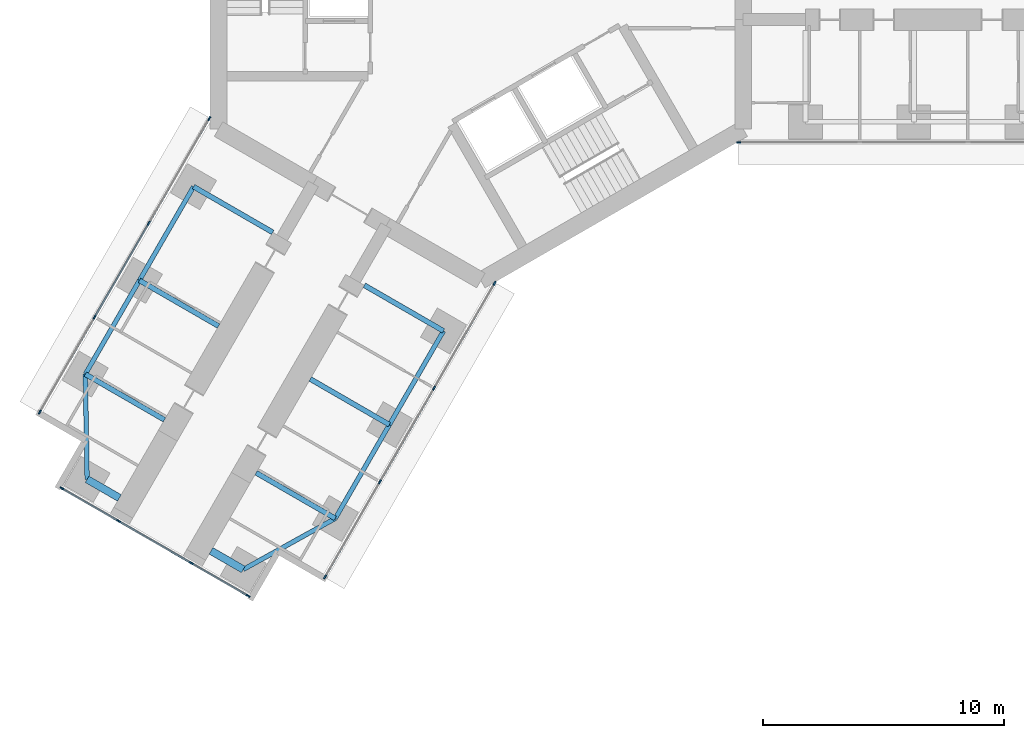
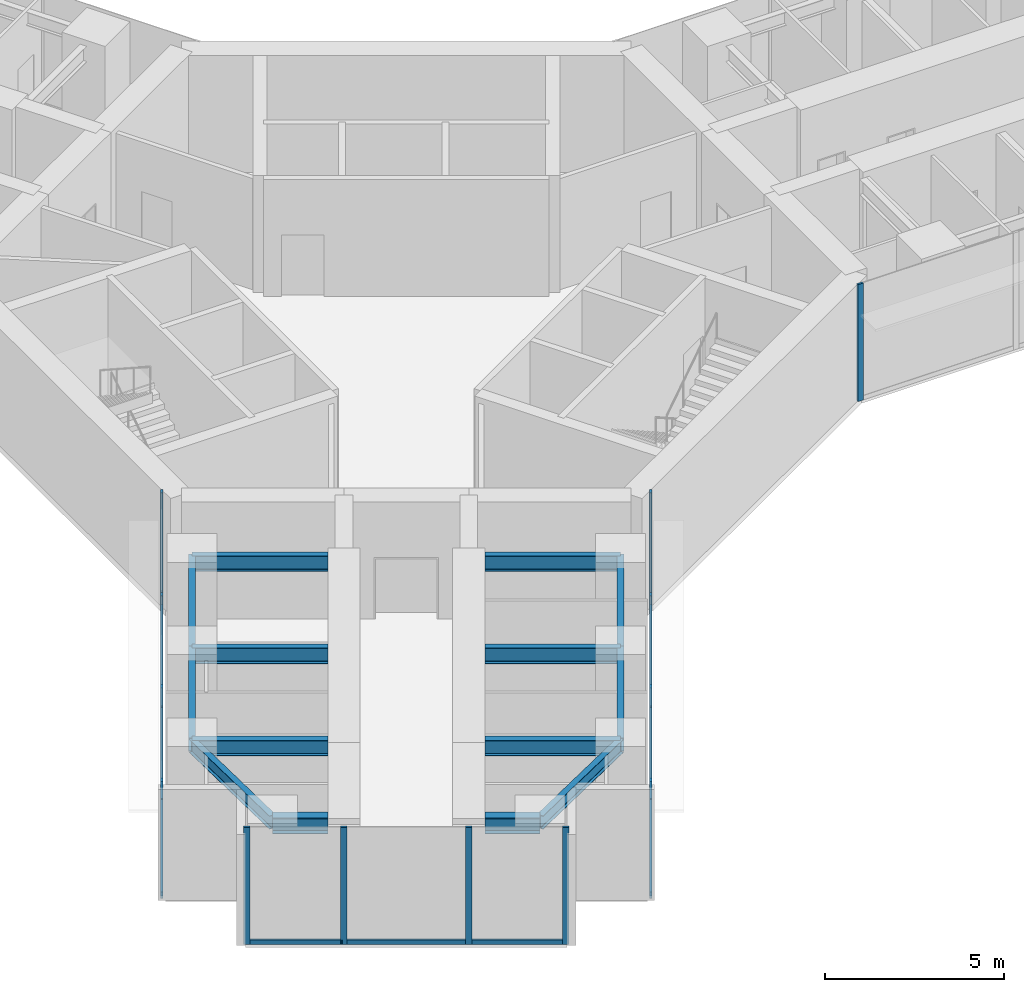
# One storey, part 2 of 25: 22 members, 14 beams, 4 elements without a shape of their own.
"""IFC4 building model written with IfcOpenShell, lengths in metres."""

from ifc_helpers import new_model, si_unit, direction, frame, origin, origin_2d, place, context, subcontext, project, spatial, rectangle, i_section, extrude, material, material_profile, profile_set, type_object, element, aggregate, save


model = new_model("IFC4")

# Units and contexts
model_context = context("Model", 3, precision=1e-05, world=origin(), true_north=direction((0.0, 1.0)))
body_context = subcontext(model_context, "Body", "Model", "MODEL_VIEW")
ifc_project = project(units=[si_unit("LENGTHUNIT", "METRE"), si_unit("AREAUNIT", "SQUARE_METRE"), si_unit("VOLUMEUNIT", "CUBIC_METRE"), si_unit("PLANEANGLEUNIT", "RADIAN"), si_unit("MASSUNIT", "GRAM", prefix="KILO")], contexts=[model_context])

# Site, building, storey
site_placement = place(None, origin())
site = spatial("IfcSite", under=ifc_project, at=site_placement, CompositionType="ELEMENT")
building_placement = place(site_placement, origin())
building = spatial("IfcBuilding", under=site, at=building_placement, Name="Upepo Twin Towers", CompositionType="ELEMENT")
storey_placement = place(building_placement, frame((0.0, 0.0, 84.5)))
storey = spatial("IfcBuildingStorey", under=building, at=storey_placement, Name="L20", CompositionType="ELEMENT", Elevation=84.5)

# Beams
ifc_material_1 = material(Name="Steel S355", Category="steel")
ifc_material_profile_1 = material_profile(ifc_material_1, i_section(OverallWidth=0.1904296875, OverallDepth=0.45703125, WebThickness=0.009033203125, FlangeThickness=0.014404296875, FilletRadius=0.01025390625, at=origin_2d()), Name="UB 457x191x74")
ifc_profile_set_1 = profile_set([ifc_material_profile_1], Name="Steel S355")
beam_type_1 = type_object("IfcBeamType", Name="Beam UB 457x191x74", PredefinedType="BEAM", material=ifc_profile_set_1)
beam_1_placement = place(storey_placement, frame((-1.553955078125, -14.69140625, 3.571533203125), z_axis=(-0.500013631625, -0.866017533419, 0.0), x_axis=(0.866017533419, -0.500013631625, 0.0)))
element("IfcBeam", 1, at=beam_1_placement, inside=storey, type_object=beam_type_1, Name="T1 edge beam CL 13.5-18.0", PredefinedType="BEAM", context=body_context, shape_type="SweptSolid", body=[
    extrude(i_section(OverallWidth=0.1904296875, OverallDepth=0.45703125, WebThickness=0.009033203125, FlangeThickness=0.014404296875, FilletRadius=0.01025390625, at=origin_2d()), origin(), (0.0, 0.0, 1.0), 4.499755859375),
])
beam_2_placement = place(storey_placement, frame((-3.803955078125, -18.58837890625, 3.571533203125), z_axis=(-0.499990139034, -0.866031096941, 0.0), x_axis=(0.866031096941, -0.499990139034, 0.0)))
element("IfcBeam", 2, at=beam_2_placement, inside=storey, type_object=beam_type_1, Name="T1 edge beam CL 18.0-22.5", PredefinedType="BEAM", context=body_context, shape_type="SweptSolid", body=[
    extrude(i_section(OverallWidth=0.1904296875, OverallDepth=0.45703125, WebThickness=0.009033203125, FlangeThickness=0.014404296875, FilletRadius=0.01025390625, at=origin_2d()), origin(), (0.0, 0.0, 1.0), 4.5),
])
beam_3_placement = place(storey_placement, frame((-6.053955078125, -22.485595703125, 3.571533203125), z_axis=(-0.874312600038, -0.485363242752, 0.0), x_axis=(0.485363242752, -0.874312600038, 0.0)))
element("IfcBeam", 3, at=beam_3_placement, inside=storey, type_object=beam_type_1, Name="T1 nose edge beam CL", PredefinedType="BEAM", context=body_context, shape_type="SweptSolid", body=[
    extrude(i_section(OverallWidth=0.1904296875, OverallDepth=0.45703125, WebThickness=0.009033203125, FlangeThickness=0.014404296875, FilletRadius=0.01025390625, at=origin_2d()), origin(), (0.0, 0.0, 1.0), 4.373046875),
])
beam_4_placement = place(storey_placement, frame((-11.946044921875, -8.69140625, 3.571533203125), z_axis=(-0.500013631625, -0.866017533419, 0.0), x_axis=(0.866017533419, -0.500013631625, 0.0)))
element("IfcBeam", 4, at=beam_4_placement, inside=storey, type_object=beam_type_1, Name="T1 edge beam CR 13.5-18.0", PredefinedType="BEAM", context=body_context, shape_type="SweptSolid", body=[
    extrude(i_section(OverallWidth=0.1904296875, OverallDepth=0.45703125, WebThickness=0.009033203125, FlangeThickness=0.014404296875, FilletRadius=0.01025390625, at=origin_2d()), origin(), (0.0, 0.0, 1.0), 4.499755859375),
])
beam_5_placement = place(storey_placement, frame((-14.196044921875, -12.58837890625, 3.571533203125), z_axis=(-0.499990139034, -0.866031096941, 0.0), x_axis=(0.866031096941, -0.499990139034, 0.0)))
element("IfcBeam", 5, at=beam_5_placement, inside=storey, type_object=beam_type_1, Name="T1 edge beam CR 18.0-22.5", PredefinedType="BEAM", context=body_context, shape_type="SweptSolid", body=[
    extrude(i_section(OverallWidth=0.1904296875, OverallDepth=0.45703125, WebThickness=0.009033203125, FlangeThickness=0.014404296875, FilletRadius=0.01025390625, at=origin_2d()), origin(), (0.0, 0.0, 1.0), 4.5),
])
beam_6_placement = place(storey_placement, frame((-16.446044921875, -16.485595703125, 3.571533203125), z_axis=(0.016803880528, -0.999858804832, 0.0), x_axis=(0.999858804832, 0.016803880528, 0.0)))
element("IfcBeam", 6, at=beam_6_placement, inside=storey, type_object=beam_type_1, Name="T1 nose edge beam CR", PredefinedType="BEAM", context=body_context, shape_type="SweptSolid", body=[
    extrude(i_section(OverallWidth=0.1904296875, OverallDepth=0.45703125, WebThickness=0.009033203125, FlangeThickness=0.014404296875, FilletRadius=0.01025390625, at=origin_2d()), origin(), (0.0, 0.0, 1.0), 4.373291015625),
])
ifc_material_2 = material(Name="Steel S355", Category="steel")
ifc_material_profile_2 = material_profile(ifc_material_2, i_section(OverallWidth=0.209228515625, OverallDepth=0.533203125, WebThickness=0.010009765625, FlangeThickness=0.015625, FilletRadius=0.0126953125, at=origin_2d()), Name="UB 533x210x92")
ifc_profile_set_2 = profile_set([ifc_material_profile_2], Name="Steel S355")
beam_type_2 = type_object("IfcBeamType", Name="Beam UB 533x210x92", PredefinedType="BEAM", material=ifc_profile_set_2)
beam_7_placement = place(storey_placement, frame((-1.553955078125, -14.69140625, 3.533447265625), z_axis=(-0.866000483506, 0.500043160704, 0.0), x_axis=(-0.500043160704, -0.866000483506, 0.0)))
element("IfcBeam", 7, at=beam_7_placement, inside=storey, type_object=beam_type_2, Name="T1 girder CL at 13.5", PredefinedType="BEAM", context=body_context, shape_type="SweptSolid", body=[
    extrude(i_section(OverallWidth=0.209228515625, OverallDepth=0.533203125, WebThickness=0.010009765625, FlangeThickness=0.015625, FilletRadius=0.0126953125, at=origin_2d()), origin(), (0.0, 0.0, 1.0), 3.800048828125),
])
for number, where, z_axis, x_axis, name in (
    (8, (-3.803955078125, -18.58837890625, 3.533447265625), (-0.866028304915, 0.499994975061, 0.0), (-0.499994975061, -0.866028304915, 0.0), "T1 girder CL at 18.0"),
    (9, (-6.053955078125, -22.485595703125, 3.533447265625), (-0.866028304915, 0.499994975061, 0.0), (-0.499994975061, -0.866028304915, 0.0), "T1 girder CL at 22.5"),
    (10, (-11.946044921875, -8.69140625, 3.533447265625), (0.866028304915, -0.499994975061, 0.0), (0.499994975061, 0.866028304915, 0.0), "T1 girder CR at 13.5"),
):
    element("IfcBeam", number, at=place(storey_placement, frame(where, z_axis=z_axis, x_axis=x_axis)), inside=storey, type_object=beam_type_2, Name=name, PredefinedType="BEAM", context=body_context, shape_type="SweptSolid", body=[
        extrude(i_section(OverallWidth=0.209228515625, OverallDepth=0.533203125, WebThickness=0.010009765625, FlangeThickness=0.015625, FilletRadius=0.0126953125, at=origin_2d()), origin(), (0.0, 0.0, 1.0), 3.7998046875),
    ])
beam_8_placement = place(storey_placement, frame((-14.196044921875, -12.58837890625, 3.533447265625), z_axis=(0.866000483506, -0.500043160704, 0.0), x_axis=(0.500043160704, 0.866000483506, 0.0)))
element("IfcBeam", 11, at=beam_8_placement, inside=storey, type_object=beam_type_2, Name="T1 girder CR at 18.0", PredefinedType="BEAM", context=body_context, shape_type="SweptSolid", body=[
    extrude(i_section(OverallWidth=0.209228515625, OverallDepth=0.533203125, WebThickness=0.010009765625, FlangeThickness=0.015625, FilletRadius=0.0126953125, at=origin_2d()), origin(), (0.0, 0.0, 1.0), 3.800048828125),
])
beam_9_placement = place(storey_placement, frame((-16.446044921875, -16.485595703125, 3.533447265625), z_axis=(0.866028304915, -0.499994975061, 0.0), x_axis=(0.499994975061, 0.866028304915, 0.0)))
element("IfcBeam", 12, at=beam_9_placement, inside=storey, type_object=beam_type_2, Name="T1 girder CR at 22.5", PredefinedType="BEAM", context=body_context, shape_type="SweptSolid", body=[
    extrude(i_section(OverallWidth=0.209228515625, OverallDepth=0.533203125, WebThickness=0.010009765625, FlangeThickness=0.015625, FilletRadius=0.0126953125, at=origin_2d()), origin(), (0.0, 0.0, 1.0), 3.7998046875),
])
ifc_material_3 = material(Name="Steel S355", Category="steel")
ifc_material_profile_3 = material_profile(ifc_material_3, i_section(OverallWidth=0.31201171875, OverallDepth=0.54345703125, WebThickness=0.0126953125, FlangeThickness=0.020263671875, FilletRadius=0.0126953125, at=origin_2d()), Name="UB 533x312x150")
ifc_profile_set_3 = profile_set([ifc_material_profile_3], Name="Steel S355")
beam_type_3 = type_object("IfcBeamType", Name="Beam UB 533x312x150", PredefinedType="BEAM", material=ifc_profile_set_3)
for number, where, z_axis, x_axis, name in (
    (13, (-9.87744140625, -24.608154296875, 3.5283203125), (-0.866043940782, 0.499967891604, 0.0), (-0.499967891604, -0.866043940782, 0.0), "T1 nose beam CL"),
    (14, (-16.37255859375, -20.858154296875, 3.5283203125), (0.866043940782, -0.499967891604, 0.0), (0.499967891604, 0.866043940782, 0.0), "T1 nose beam CR"),
):
    element("IfcBeam", number, at=place(storey_placement, frame(where, z_axis=z_axis, x_axis=x_axis)), inside=storey, type_object=beam_type_3, Name=name, PredefinedType="BEAM", context=body_context, shape_type="SweptSolid", body=[
        extrude(i_section(OverallWidth=0.31201171875, OverallDepth=0.54345703125, WebThickness=0.0126953125, FlangeThickness=0.020263671875, FilletRadius=0.0126953125, at=origin_2d()), origin(), (0.0, 0.0, 1.0), 1.5498046875),
    ])

# Curtain wall, member
ifc_material_4 = material(Name="Aluminium and fritted glass", Category="aluminium")
curtain_wall_type = type_object("IfcCurtainWallType", Name="Tower curtain wall TW1, fritted glass", PredefinedType="NOTDEFINED", material=ifc_material_4)
curtain_wall_1_placement = place(storey_placement, origin())
curtain_wall_1 = element("IfcCurtainWall", 15, at=curtain_wall_1_placement, inside=storey, type_object=curtain_wall_type, Name="T1 L20 wing A flank R curtain wall", PredefinedType="NOTDEFINED")
ifc_material_5 = material(Name="Aluminium mullion", Category="aluminium")
ifc_material_profile_4 = material_profile(ifc_material_5, rectangle(XDim=0.06494140625, YDim=0.179931640625, at=origin_2d()), Name="MULLION 65x180")
ifc_profile_set_4 = profile_set([ifc_material_profile_4], Name="Aluminium mullion")
member_type_1 = type_object("IfcMemberType", Name="Mullion 65x180 TW1", PredefinedType="MULLION", material=ifc_profile_set_4)
member_1_placement = place(storey_placement, frame((10.7197265625, -6.85009765625, 0.0), z_axis=(0.0, 0.0, 1.0), x_axis=(0.0, -1.0, 0.0)))
member_1 = element("IfcMember", 16, at=member_1_placement, type_object=member_type_1, Name="T1 L20 wing A flank R curtain wall mullion 4", PredefinedType="MULLION", context=body_context, shape_type="SweptSolid", body=[
    extrude(rectangle(XDim=0.06494140625, YDim=0.179931640625, at=origin_2d()), origin(), (0.0, 0.0, 1.0), 4.0),
])
aggregate(curtain_wall_1, [member_1])

# Curtain wall, members
curtain_wall_2_placement = place(storey_placement, origin())
curtain_wall_2 = element("IfcCurtainWall", 17, at=curtain_wall_2_placement, inside=storey, type_object=curtain_wall_type, Name="T1 L20 wing C flank L curtain wall", PredefinedType="NOTDEFINED")
member_2_placement = place(storey_placement, frame((0.572509765625, -12.70849609375, 0.0), z_axis=(0.0, 0.0, 1.0), x_axis=(0.866025389682, -0.500000024426, 0.0)))
member_2 = element("IfcMember", 18, at=member_2_placement, type_object=member_type_1, Name="T1 L20 wing C flank L curtain wall mullion 1", PredefinedType="MULLION", context=body_context, shape_type="SweptSolid", body=[
    extrude(rectangle(XDim=0.06494140625, YDim=0.179931640625, at=origin_2d()), origin(), (0.0, 0.0, 1.0), 4.0),
])
member_3_placement = place(storey_placement, frame((-1.942626953125, -17.06494140625, 0.0), z_axis=(0.0, 0.0, 1.0), x_axis=(0.866025389682, -0.500000024426, 0.0)))
member_3 = element("IfcMember", 19, at=member_3_placement, type_object=member_type_1, Name="T1 L20 wing C flank L curtain wall mullion 2", PredefinedType="MULLION", context=body_context, shape_type="SweptSolid", body=[
    extrude(rectangle(XDim=0.06494140625, YDim=0.179931640625, at=origin_2d()), origin(), (0.0, 0.0, 1.0), 4.0),
])
member_4_placement = place(storey_placement, frame((-4.192626953125, -20.9619140625, 0.0), z_axis=(0.0, 0.0, 1.0), x_axis=(0.866025389682, -0.500000024426, 0.0)))
member_4 = element("IfcMember", 20, at=member_4_placement, type_object=member_type_1, Name="T1 L20 wing C flank L curtain wall mullion 3", PredefinedType="MULLION", context=body_context, shape_type="SweptSolid", body=[
    extrude(rectangle(XDim=0.06494140625, YDim=0.179931640625, at=origin_2d()), origin(), (0.0, 0.0, 1.0), 4.0),
])
member_5_placement = place(storey_placement, frame((-6.4765625, -24.91748046875, 0.0), z_axis=(0.0, 0.0, 1.0), x_axis=(0.866025389682, -0.500000024426, 0.0)))
member_5 = element("IfcMember", 21, at=member_5_placement, type_object=member_type_1, Name="T1 L20 wing C flank L curtain wall mullion 4", PredefinedType="MULLION", context=body_context, shape_type="SweptSolid", body=[
    extrude(rectangle(XDim=0.06494140625, YDim=0.179931640625, at=origin_2d()), origin(), (0.0, 0.0, 1.0), 4.0),
])

curtain_wall_3_placement = place(storey_placement, origin())
curtain_wall_3 = element("IfcCurtainWall", 22, at=curtain_wall_3_placement, inside=storey, type_object=curtain_wall_type, Name="T1 L20 wing C flank R curtain wall", PredefinedType="NOTDEFINED")
member_6_placement = place(storey_placement, frame((-18.341064453125, -18.067626953125, 0.0), z_axis=(0.0, 0.0, 1.0), x_axis=(-0.866025389682, 0.500000024426, 0.0)))
member_6 = element("IfcMember", 23, at=member_6_placement, type_object=member_type_1, Name="T1 L20 wing C flank R curtain wall mullion 1", PredefinedType="MULLION", context=body_context, shape_type="SweptSolid", body=[
    extrude(rectangle(XDim=0.06494140625, YDim=0.179931640625, at=origin_2d()), origin(), (0.0, 0.0, 1.0), 4.0),
])
member_7_placement = place(storey_placement, frame((-16.057373046875, -14.112060546875, 0.0), z_axis=(0.0, 0.0, 1.0), x_axis=(-0.866025389682, 0.500000024426, 0.0)))
member_7 = element("IfcMember", 24, at=member_7_placement, type_object=member_type_1, Name="T1 L20 wing C flank R curtain wall mullion 2", PredefinedType="MULLION", context=body_context, shape_type="SweptSolid", body=[
    extrude(rectangle(XDim=0.06494140625, YDim=0.179931640625, at=origin_2d()), origin(), (0.0, 0.0, 1.0), 4.0),
])
member_8_placement = place(storey_placement, frame((-13.807373046875, -10.21484375, 0.0), z_axis=(0.0, 0.0, 1.0), x_axis=(-0.866025389682, 0.500000024426, 0.0)))
member_8 = element("IfcMember", 25, at=member_8_placement, type_object=member_type_1, Name="T1 L20 wing C flank R curtain wall mullion 3", PredefinedType="MULLION", context=body_context, shape_type="SweptSolid", body=[
    extrude(rectangle(XDim=0.06494140625, YDim=0.179931640625, at=origin_2d()), origin(), (0.0, 0.0, 1.0), 4.0),
])
member_9_placement = place(storey_placement, frame((-11.2919921875, -5.8583984375, 0.0), z_axis=(0.0, 0.0, 1.0), x_axis=(-0.866025389682, 0.500000024426, 0.0)))
member_9 = element("IfcMember", 26, at=member_9_placement, type_object=member_type_1, Name="T1 L20 wing C flank R curtain wall mullion 4", PredefinedType="MULLION", context=body_context, shape_type="SweptSolid", body=[
    extrude(rectangle(XDim=0.06494140625, YDim=0.179931640625, at=origin_2d()), origin(), (0.0, 0.0, 1.0), 4.0),
])

curtain_wall_4_placement = place(storey_placement, origin())
curtain_wall_4 = element("IfcCurtainWall", 27, at=curtain_wall_4_placement, inside=storey, type_object=curtain_wall_type, Name="T1 L20 wing C nose curtain wall", PredefinedType="NOTDEFINED")
member_10_placement = place(storey_placement, frame((-17.4189453125, -21.235595703125, 0.0), z_axis=(0.0, 0.0, 1.0), x_axis=(0.500000030502, 0.866025386174, 0.0)))
member_10 = element("IfcMember", 28, at=member_10_placement, type_object=member_type_1, Name="T1 L20 wing C nose curtain wall mullion 1", PredefinedType="MULLION", context=body_context, shape_type="SweptSolid", body=[
    extrude(rectangle(XDim=0.06494140625, YDim=0.179931640625, at=origin_2d()), origin(), (0.0, 0.0, 1.0), 4.0),
])
member_11_placement = place(storey_placement, frame((-15.0654296875, -22.59423828125, 0.0), z_axis=(0.0, 0.0, 1.0), x_axis=(0.500000030502, 0.866025386174, 0.0)))
member_11 = element("IfcMember", 29, at=member_11_placement, type_object=member_type_1, Name="T1 L20 wing C nose curtain wall mullion 2", PredefinedType="MULLION", context=body_context, shape_type="SweptSolid", body=[
    extrude(rectangle(XDim=0.06494140625, YDim=0.179931640625, at=origin_2d()), origin(), (0.0, 0.0, 1.0), 4.0),
])
member_12_placement = place(storey_placement, frame((-12.034423828125, -24.34423828125, 0.0), z_axis=(0.0, 0.0, 1.0), x_axis=(0.500000030502, 0.866025386174, 0.0)))
member_12 = element("IfcMember", 30, at=member_12_placement, type_object=member_type_1, Name="T1 L20 wing C nose curtain wall mullion 3", PredefinedType="MULLION", context=body_context, shape_type="SweptSolid", body=[
    extrude(rectangle(XDim=0.06494140625, YDim=0.179931640625, at=origin_2d()), origin(), (0.0, 0.0, 1.0), 4.0),
])
member_13_placement = place(storey_placement, frame((-9.68115234375, -25.703125, 0.0), z_axis=(0.0, 0.0, 1.0), x_axis=(0.500000030502, 0.866025386174, 0.0)))
member_13 = element("IfcMember", 31, at=member_13_placement, type_object=member_type_1, Name="T1 L20 wing C nose curtain wall mullion 4", PredefinedType="MULLION", context=body_context, shape_type="SweptSolid", body=[
    extrude(rectangle(XDim=0.06494140625, YDim=0.179931640625, at=origin_2d()), origin(), (0.0, 0.0, 1.0), 4.0),
])

# Member
ifc_material_6 = material(Name="Aluminium transom", Category="aluminium")
ifc_material_profile_5 = material_profile(ifc_material_6, rectangle(XDim=0.06494140625, YDim=0.14990234375, at=origin_2d()), Name="TRANSOM 65x150")
ifc_profile_set_5 = profile_set([ifc_material_profile_5], Name="Aluminium transom")
member_type_2 = type_object("IfcMemberType", Name="Transom 65x150 TW1", PredefinedType="USERDEFINED", material=ifc_profile_set_5)
member_14_placement = place(storey_placement, frame((0.55615234375, -12.736572265625, 0.074951171875), z_axis=(-0.499983492876, -0.866034933967, 0.0), x_axis=(0.866034933967, -0.499983492876, 0.0)))
member_14 = element("IfcMember", 32, at=member_14_placement, type_object=member_type_2, Name="T1 L20 wing C flank L curtain wall transom 1", ObjectType="TRANSOM", PredefinedType="USERDEFINED", context=body_context, shape_type="SweptSolid", body=[
    extrude(rectangle(XDim=0.06494140625, YDim=0.14990234375, at=origin_2d()), origin(), (0.0, 0.0, 1.0), 4.965576171875),
])

member_15_placement = place(storey_placement, frame((-1.958984375, -17.093017578125, 0.074951171875), z_axis=(-0.500005184116, -0.866022410713, 0.0), x_axis=(0.866022410713, -0.500005184116, 0.0)))
member_15 = element("IfcMember", 33, at=member_15_placement, type_object=member_type_2, Name="T1 L20 wing C flank L curtain wall transom 2", ObjectType="TRANSOM", PredefinedType="USERDEFINED", context=body_context, shape_type="SweptSolid", body=[
    extrude(rectangle(XDim=0.06494140625, YDim=0.14990234375, at=origin_2d()), origin(), (0.0, 0.0, 1.0), 4.43505859375),
])

member_16_placement = place(storey_placement, frame((-4.208984375, -20.990234375, 0.074951171875), z_axis=(-0.500005646842, -0.866022143554, 0.0), x_axis=(0.866022143554, -0.500005646842, 0.0)))
member_16 = element("IfcMember", 34, at=member_16_placement, type_object=member_type_2, Name="T1 L20 wing C flank L curtain wall transom 3", ObjectType="TRANSOM", PredefinedType="USERDEFINED", context=body_context, shape_type="SweptSolid", body=[
    extrude(rectangle(XDim=0.06494140625, YDim=0.14990234375, at=origin_2d()), origin(), (0.0, 0.0, 1.0), 4.50244140625),
])

aggregate(curtain_wall_2, [member_2, member_3, member_4, member_5, member_14, member_15, member_16])

member_17_placement = place(storey_placement, frame((-18.32470703125, -18.03955078125, 0.074951171875), z_axis=(0.499982167615, 0.866035699072, 0.0), x_axis=(-0.866035699072, 0.499982167615, 0.0)))
member_17 = element("IfcMember", 35, at=member_17_placement, type_object=member_type_2, Name="T1 L20 wing C flank R curtain wall transom 1", ObjectType="TRANSOM", PredefinedType="USERDEFINED", context=body_context, shape_type="SweptSolid", body=[
    extrude(rectangle(XDim=0.06494140625, YDim=0.14990234375, at=origin_2d()), origin(), (0.0, 0.0, 1.0), 4.502685546875),
])

member_18_placement = place(storey_placement, frame((-16.041015625, -14.083984375, 0.074951171875), z_axis=(0.500005184116, 0.866022410713, 0.0), x_axis=(-0.866022410713, 0.500005184116, 0.0)))
member_18 = element("IfcMember", 36, at=member_18_placement, type_object=member_type_2, Name="T1 L20 wing C flank R curtain wall transom 2", ObjectType="TRANSOM", PredefinedType="USERDEFINED", context=body_context, shape_type="SweptSolid", body=[
    extrude(rectangle(XDim=0.06494140625, YDim=0.14990234375, at=origin_2d()), origin(), (0.0, 0.0, 1.0), 4.43505859375),
])

member_19_placement = place(storey_placement, frame((-13.791015625, -10.186767578125, 0.074951171875), z_axis=(0.50000478328, 0.866022642139, 0.0), x_axis=(-0.866022642139, 0.50000478328, 0.0)))
member_19 = element("IfcMember", 37, at=member_19_placement, type_object=member_type_2, Name="T1 L20 wing C flank R curtain wall transom 3", ObjectType="TRANSOM", PredefinedType="USERDEFINED", context=body_context, shape_type="SweptSolid", body=[
    extrude(rectangle(XDim=0.06494140625, YDim=0.14990234375, at=origin_2d()), origin(), (0.0, 0.0, 1.0), 4.96533203125),
])

aggregate(curtain_wall_3, [member_6, member_7, member_8, member_9, member_17, member_18, member_19])

member_20_placement = place(storey_placement, frame((-17.390869140625, -21.251708984375, 0.074951171875), z_axis=(0.865997053448, -0.500049101008, 0.0), x_axis=(0.500049101008, 0.865997053448, 0.0)))
member_20 = element("IfcMember", 38, at=member_20_placement, type_object=member_type_2, Name="T1 L20 wing C nose curtain wall transom 1", ObjectType="TRANSOM", PredefinedType="USERDEFINED", context=body_context, shape_type="SweptSolid", body=[
    extrude(rectangle(XDim=0.06494140625, YDim=0.14990234375, at=origin_2d()), origin(), (0.0, 0.0, 1.0), 2.652587890625),
])

member_21_placement = place(storey_placement, frame((-15.037353515625, -22.610595703125, 0.074951171875), z_axis=(0.866025804792, -0.499999305434, 0.0), x_axis=(0.499999305434, 0.866025804792, 0.0)))
member_21 = element("IfcMember", 39, at=member_21_placement, type_object=member_type_2, Name="T1 L20 wing C nose curtain wall transom 2", ObjectType="TRANSOM", PredefinedType="USERDEFINED", context=body_context, shape_type="SweptSolid", body=[
    extrude(rectangle(XDim=0.06494140625, YDim=0.14990234375, at=origin_2d()), origin(), (0.0, 0.0, 1.0), 3.43505859375),
])

member_22_placement = place(storey_placement, frame((-12.00634765625, -24.360595703125, 0.074951171875), z_axis=(0.866036909293, -0.499980071345, 0.0), x_axis=(0.499980071345, 0.866036909293, 0.0)))
member_22 = element("IfcMember", 40, at=member_22_placement, type_object=member_type_2, Name="T1 L20 wing C nose curtain wall transom 3", ObjectType="TRANSOM", PredefinedType="USERDEFINED", context=body_context, shape_type="SweptSolid", body=[
    extrude(rectangle(XDim=0.06494140625, YDim=0.14990234375, at=origin_2d()), origin(), (0.0, 0.0, 1.0), 2.65234375),
])

aggregate(curtain_wall_4, [member_10, member_11, member_12, member_13, member_20, member_21, member_22])

save(model, "model.ifc")
